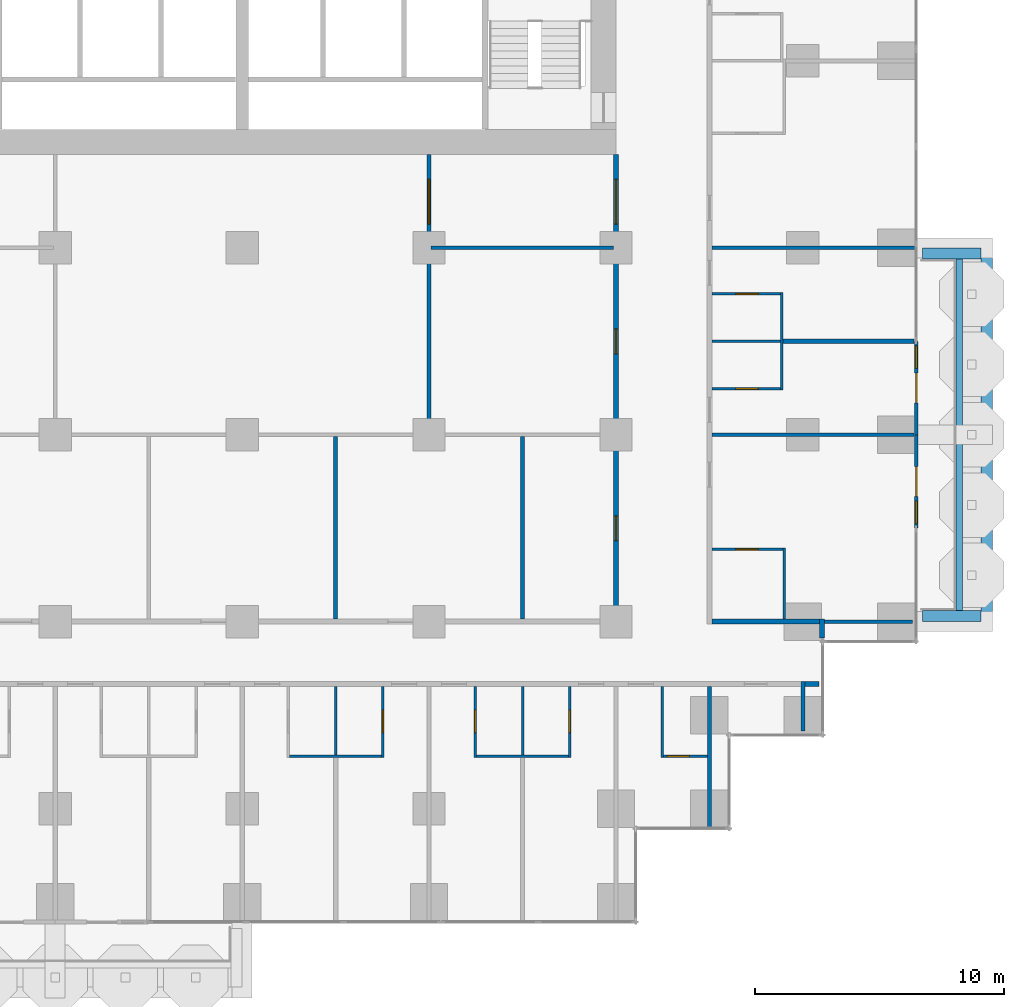
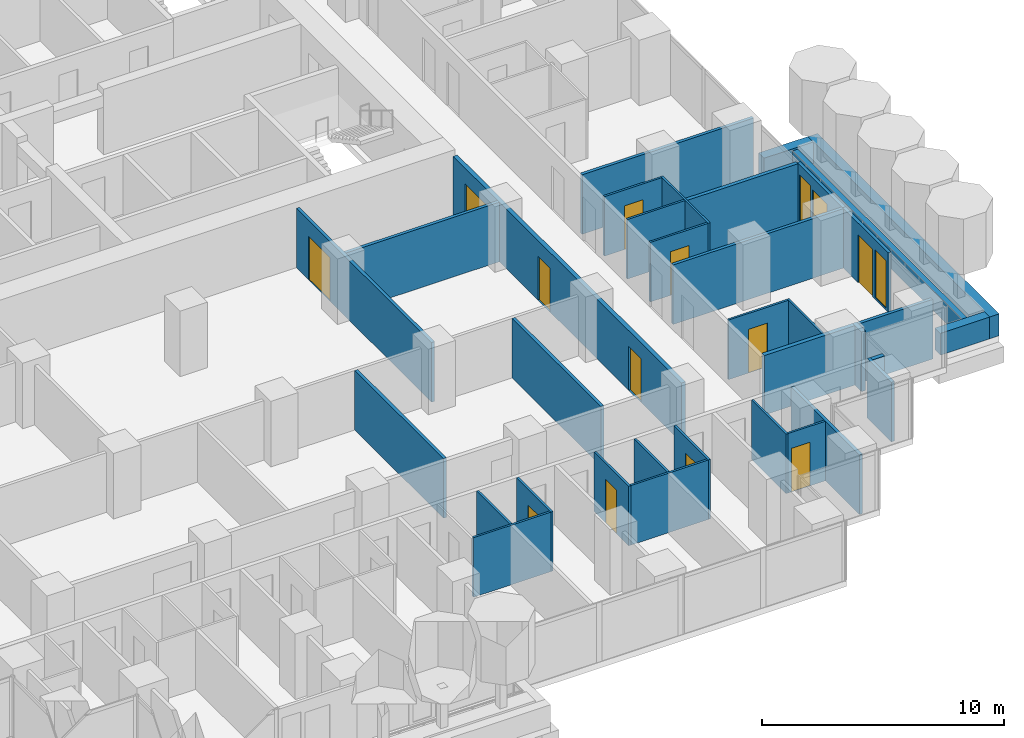
# One storey, part 12 of 19: 35 walls, 13 doors, 2 windows, 15 openings.
"""IFC4 building model written with IfcOpenShell, lengths in metres."""

from ifc_helpers import new_model, si_unit, direction, frame, frame_2d, origin, place, context, subcontext, project, spatial, rectangle, extrude, material, layer, layer_set, type_object, element, fill, save


model = new_model("IFC4")

# Units and contexts
model_context = context("Model", 3, precision=1e-05, world=origin(), true_north=direction((0.0, 1.0)))
body_context = subcontext(model_context, "Body", "Model", "MODEL_VIEW")
ifc_project = project(units=[si_unit("LENGTHUNIT", "METRE"), si_unit("AREAUNIT", "SQUARE_METRE"), si_unit("VOLUMEUNIT", "CUBIC_METRE"), si_unit("PLANEANGLEUNIT", "RADIAN"), si_unit("MASSUNIT", "GRAM", prefix="KILO")], contexts=[model_context])

# Site, building, storey
site_placement = place(None, origin())
site = spatial("IfcSite", under=ifc_project, at=site_placement, CompositionType="ELEMENT")
building_placement = place(site_placement, origin())
building = spatial("IfcBuilding", under=site, at=building_placement, Name="Pilkhan Gate Tower", CompositionType="ELEMENT")
storey_placement = place(building_placement, frame((0.0, 0.0, 69.199951171875)))
storey = spatial("IfcBuildingStorey", under=building, at=storey_placement, Name="L15", CompositionType="ELEMENT", Elevation=69.199951171875)

# Walls
ifc_material_1 = material(Name="Dense blockwork", Category="masonry")
ifc_layer_1 = layer(ifc_material_1, 0.175048828125)
ifc_layer_set_1 = layer_set([ifc_layer_1], Name="Acoustic party wall PW175")
wall_type_1 = type_object("IfcWallType", Name="Acoustic party wall PW175", PredefinedType="PARTITIONING", material=ifc_layer_set_1)
wall_1_placement = place(storey_placement, frame((96.699951171875, 63.75, 0.0), z_axis=(0.0, 0.0, 1.0), x_axis=(1.0, 0.0, 0.0)))
element("IfcWall", 1, at=wall_1_placement, inside=storey, type_object=wall_type_1, Name="Partition L15", PredefinedType="PARTITIONING", context=body_context, shape_type="SweptSolid", body=[
    extrude(rectangle(XDim=5.260009765625, YDim=0.175048828125, at=frame_2d((2.6298828125, 0.0))), origin(), (0.0, 0.0, 1.0), 3.0),
])
ifc_material_2 = material(Name="Concrete C40/50", Category="concrete")
ifc_layer_2 = layer(ifc_material_2, 0.25)
ifc_layer_set_2 = layer_set([ifc_layer_2], Name="Balcony planter BP250")
wall_type_2 = type_object("IfcWallType", Name="Balcony planter BP250", PredefinedType="USERDEFINED", material=ifc_layer_set_2)
wall_2_placement = place(storey_placement, frame((103.77490234375, 52.949951171875, 0.0), z_axis=(0.0, 0.0, 1.0), x_axis=(0.0, 1.0, 0.0)))
element("IfcWall", 2, at=wall_2_placement, inside=storey, type_object=wall_type_2, Name="Balcony planter L15 E", ObjectType="BALCONY PLANTER", PredefinedType="USERDEFINED", context=body_context, shape_type="SweptSolid", body=[
    extrude(rectangle(XDim=14.10009765625, YDim=0.25, at=frame_2d((7.050048828125, 0.0))), origin(), (0.0, 0.0, 1.0), 1.0),
])
ifc_material_3 = material(Name="Board-marked Concrete C40/50", Category="concrete")
ifc_layer_3 = layer(ifc_material_3, 0.449951171875)
ifc_layer_set_3 = layer_set([ifc_layer_3], Name="Balcony planter lip BL450")
wall_type_3 = type_object("IfcWallType", Name="Balcony planter lip BL450", PredefinedType="USERDEFINED", material=ifc_layer_set_3)
wall_3_placement = place(storey_placement, frame((104.875, 52.5, 0.0), z_axis=(0.0, 0.0, 1.0), x_axis=(0.0, 1.0, 0.0)))
element("IfcWall", 3, at=wall_3_placement, inside=storey, type_object=wall_type_3, Name="Balcony planter L15 E", ObjectType="BALCONY PLANTER", PredefinedType="USERDEFINED", context=body_context, shape_type="SweptSolid", body=[
    extrude(rectangle(XDim=15.0, YDim=0.449951171875, at=frame_2d((7.5, 0.0))), origin(), (0.0, 0.0, 1.0), 1.10009765625),
])
for number, where, z_axis, x_axis, name in (
    (4, (102.300048828125, 52.72509765625, 0.0), (0.0, 0.0, 1.0), (1.0, 0.0, 0.0), "Balcony planter L15 E"),
    (5, (102.300048828125, 67.27490234375, 0.0), (0.0, 0.0, 1.0), (1.0, 0.0, 0.0), "Balcony planter L15 E"),
):
    element("IfcWall", number, at=place(storey_placement, frame(where, z_axis=z_axis, x_axis=x_axis)), inside=storey, type_object=wall_type_3, Name=name, ObjectType="BALCONY PLANTER", PredefinedType="USERDEFINED", context=body_context, shape_type="SweptSolid", body=[
        extrude(rectangle(XDim=2.349853515625, YDim=0.449951171875, at=frame_2d((1.1748046875, 0.0))), origin(), (0.0, 0.0, 1.0), 1.10009765625),
    ])
ifc_layer_4 = layer(ifc_material_1, 0.199951171875)
ifc_layer_set_4 = layer_set([ifc_layer_4], Name="Corridor wall FW200")
wall_type_4 = type_object("IfcWallType", Name="Corridor wall FW200", PredefinedType="PARTITIONING", material=ifc_layer_set_4)
wall_4_placement = place(storey_placement, frame((97.574951171875, 50.0, 0.0), z_axis=(0.0, 0.0, 1.0), x_axis=(1.0, 0.0, 0.0)))
element("IfcWall", 6, at=wall_4_placement, inside=storey, type_object=wall_type_4, Name="Partition L15", PredefinedType="PARTITIONING", context=body_context, shape_type="SweptSolid", body=[
    extrude(rectangle(XDim=0.570068359375, YDim=0.199951171875, at=frame_2d((0.28515625, 0.0))), origin(), (0.0, 0.0, 1.0), 3.0),
])
wall_5_placement = place(storey_placement, frame((93.85009765625, 52.5, 0.0), z_axis=(0.0, 0.0, 1.0), x_axis=(1.0, 0.0, 0.0)))
element("IfcWall", 7, at=wall_5_placement, inside=storey, type_object=wall_type_4, Name="Partition L15", PredefinedType="PARTITIONING", context=body_context, shape_type="SweptSolid", body=[
    extrude(rectangle(XDim=4.31494140625, YDim=0.199951171875, at=frame_2d((2.157470703125, 0.0))), origin(), (0.0, 0.0, 1.0), 3.0),
])

# Wall, openings, doors
wall_6_placement = place(storey_placement, frame((90.0, 52.39990234375, 0.0), z_axis=(0.0, 0.0, 1.0), x_axis=(0.0, 1.0, 0.0)))
wall_6 = element("IfcWall", 8, at=wall_6_placement, inside=storey, type_object=wall_type_4, Name="Partition L15", PredefinedType="PARTITIONING", context=body_context, shape_type="SweptSolid", body=[
    extrude(rectangle(XDim=18.840087890625, YDim=0.199951171875, at=frame_2d((9.419921875, 0.0))), origin(), (0.0, 0.0, 1.0), 3.0),
])
opening_1_placement = place(wall_6_placement, frame((3.35009765625, 0.0, 0.0)))
opening_1 = element("IfcOpeningElement", 9, at=opening_1_placement, cuts=wall_6, Name="Opening L15-65", PredefinedType="OPENING", context=body_context, shape_type="SweptSolid", body=[
    extrude(rectangle(XDim=1.0, YDim=2.199951171875, at=frame_2d((0.5, 1.10009765625))), frame((0.0, 0.10986328125, 0.0), z_axis=(0.0, -1.0, 0.0), x_axis=(1.0, 0.0, 0.0)), (0.0, 0.0, 1.0), 0.219970703125),
])
opening_2_placement = place(wall_6_placement, frame((10.85009765625, 0.0, 0.0)))
opening_2 = element("IfcOpeningElement", 10, at=opening_2_placement, cuts=wall_6, Name="Opening L15-69", PredefinedType="OPENING", context=body_context, shape_type="SweptSolid", body=[
    extrude(rectangle(XDim=1.0, YDim=2.199951171875, at=frame_2d((0.5, 1.10009765625))), frame((0.0, 0.10986328125, 0.0), z_axis=(0.0, -1.0, 0.0), x_axis=(1.0, 0.0, 0.0)), (0.0, 0.0, 1.0), 0.219970703125),
])
opening_3_placement = place(wall_6_placement, frame((16.050048828125, 0.0, 0.0)))
opening_3 = element("IfcOpeningElement", 11, at=opening_3_placement, cuts=wall_6, Name="Opening L15-70", PredefinedType="OPENING", context=body_context, shape_type="SweptSolid", body=[
    extrude(rectangle(XDim=1.800048828125, YDim=2.199951171875, at=frame_2d((0.89990234375, 1.10009765625))), frame((0.0, 0.10986328125, 0.0), z_axis=(0.0, -1.0, 0.0), x_axis=(1.0, 0.0, 0.0)), (0.0, 0.0, 1.0), 0.219970703125),
])
ifc_material_4 = material(Name="Timber glazed double door, 30 minute fire resisting", Category="wood")
door_type_1 = type_object("IfcDoorType", Name="Double door D04 1800x2200", OperationType="DOUBLE_DOOR_SINGLE_SWING", PredefinedType="DOOR", material=ifc_material_4)
door_1_placement = place(opening_3_placement, origin())
door_1 = element("IfcDoor", 12, at=door_1_placement, inside=storey, type_object=door_type_1, Name="Double door", OperationType="DOUBLE_DOOR_SINGLE_SWING", OverallHeight=2.199951171875, OverallWidth=1.800048828125, PredefinedType="DOOR", context=body_context, shape_type="SweptSolid", body=[
    extrude(rectangle(XDim=1.800048828125, YDim=2.199951171875, at=frame_2d((0.89990234375, 1.10009765625))), frame((0.0, 0.02490234375, 0.0), z_axis=(0.0, -1.0, 0.0), x_axis=(1.0, 0.0, 0.0)), (0.0, 0.0, 1.0), 0.050048828125),
])
fill(opening_3, door_1)
ifc_material_5 = material(Name="Timber flush door, 30 minute fire resisting", Category="wood")
door_type_2 = type_object("IfcDoorType", Name="Room door D03 1000x2200", OperationType="SINGLE_SWING_LEFT", PredefinedType="DOOR", material=ifc_material_5)
door_2_placement = place(opening_1_placement, origin())
door_2 = element("IfcDoor", 13, at=door_2_placement, inside=storey, type_object=door_type_2, Name="Room door", OperationType="SINGLE_SWING_RIGHT", OverallHeight=2.199951171875, OverallWidth=1.0, PredefinedType="DOOR", context=body_context, shape_type="SweptSolid", body=[
    extrude(rectangle(XDim=1.0, YDim=2.199951171875, at=frame_2d((0.5, 1.10009765625))), frame((0.0, 0.02490234375, 0.0), z_axis=(0.0, -1.0, 0.0), x_axis=(1.0, 0.0, 0.0)), (0.0, 0.0, 1.0), 0.050048828125),
])
fill(opening_1, door_2)
door_3_placement = place(opening_2_placement, origin())
door_3 = element("IfcDoor", 14, at=door_3_placement, inside=storey, type_object=door_type_2, Name="Room door", OperationType="SINGLE_SWING_LEFT", OverallHeight=2.199951171875, OverallWidth=1.0, PredefinedType="DOOR", context=body_context, shape_type="SweptSolid", body=[
    extrude(rectangle(XDim=1.0, YDim=2.199951171875, at=frame_2d((0.5, 1.10009765625))), frame((0.0, 0.02490234375, 0.0), z_axis=(0.0, -1.0, 0.0), x_axis=(1.0, 0.0, 0.0)), (0.0, 0.0, 1.0), 0.050048828125),
])
fill(opening_2, door_3)

# Wall
wall_7_placement = place(storey_placement, frame((98.264892578125, 51.85498046875, 0.0), z_axis=(0.0, 0.0, 1.0), x_axis=(0.0, 1.0, 0.0)))
element("IfcWall", 15, at=wall_7_placement, inside=storey, type_object=wall_type_4, Name="Partition L15", PredefinedType="PARTITIONING", context=body_context, shape_type="SweptSolid", body=[
    extrude(rectangle(XDim=0.7451171875, YDim=0.199951171875, at=frame_2d((0.37255859375, 0.0))), origin(), (0.0, 0.0, 1.0), 3.0),
])

# Wall, openings, door, window
ifc_material_6 = material(Name="Pale anodised aluminium, clear laminated glazing", Category="aluminium")
ifc_layer_5 = layer(ifc_material_6, 0.14990234375)
ifc_layer_set_5 = layer_set([ifc_layer_5], Name="Facade infill wall IW150")
wall_type_5 = type_object("IfcWallType", Name="Facade infill wall IW150", PredefinedType="SOLIDWALL", material=ifc_layer_set_5)
wall_8_placement = place(storey_placement, frame((102.044921875, 56.25, 0.0), z_axis=(0.0, 0.0, 1.0), x_axis=(0.0, 1.0, 0.0)))
wall_8 = element("IfcWall", 16, at=wall_8_placement, inside=storey, type_object=wall_type_5, Name="Infill wall L15 E", PredefinedType="SOLIDWALL", context=body_context, shape_type="SweptSolid", body=[
    extrude(rectangle(XDim=3.75, YDim=0.14990234375, at=frame_2d((1.875, 0.0))), origin(), (0.0, 0.0, 1.0), 3.0),
])
opening_4_placement = place(wall_8_placement, frame((0.1875, 0.0, 0.10009765625)))
opening_4 = element("IfcOpeningElement", 17, at=opening_4_placement, cuts=wall_8, Name="Opening W1", PredefinedType="OPENING", context=body_context, shape_type="SweptSolid", body=[
    extrude(rectangle(XDim=0.89990234375, YDim=2.39990234375, at=frame_2d((0.449951171875, 1.199951171875))), frame((0.0, 0.0849609375, 0.0), z_axis=(0.0, -1.0, 0.0), x_axis=(1.0, 0.0, 0.0)), (0.0, 0.0, 1.0), 0.169921875),
])
opening_5_placement = place(wall_8_placement, frame((1.27490234375, 0.0, 0.0)))
opening_5 = element("IfcOpeningElement", 18, at=opening_5_placement, cuts=wall_8, Name="Opening D1", PredefinedType="OPENING", context=body_context, shape_type="SweptSolid", body=[
    extrude(rectangle(XDim=1.199951171875, YDim=2.39990234375, at=frame_2d((0.60009765625, 1.199951171875))), frame((0.0, 0.0849609375, 0.0), z_axis=(0.0, -1.0, 0.0), x_axis=(1.0, 0.0, 0.0)), (0.0, 0.0, 1.0), 0.169921875),
])
ifc_material_7 = material(Name="Pale anodised aluminium, clear glazing", Category="aluminium")
door_type_3 = type_object("IfcDoorType", Name="Balcony door D1 1200x2400", OperationType="SINGLE_SWING_LEFT", PredefinedType="DOOR", material=ifc_material_7)
door_4_placement = place(opening_5_placement, origin())
door_4 = element("IfcDoor", 19, at=door_4_placement, inside=storey, type_object=door_type_3, Name="Balcony door L15", OperationType="SINGLE_SWING_LEFT", OverallHeight=2.39990234375, OverallWidth=1.199951171875, PredefinedType="DOOR", context=body_context, shape_type="SweptSolid", body=[
    extrude(rectangle(XDim=1.199951171875, YDim=2.39990234375, at=frame_2d((0.60009765625, 1.199951171875))), frame((0.0, 0.02490234375, 0.0), z_axis=(0.0, -1.0, 0.0), x_axis=(1.0, 0.0, 0.0)), (0.0, 0.0, 1.0), 0.050048828125),
])
fill(opening_5, door_4)
ifc_material_8 = material(Name="Pale anodised aluminium, clear double glazing", Category="aluminium")
window_type = type_object("IfcWindowType", Name="Window W1 900x2400", PartitioningType="SINGLE_PANEL", PredefinedType="WINDOW", material=ifc_material_8)
window_1_placement = place(opening_4_placement, origin())
window_1 = element("IfcWindow", 20, at=window_1_placement, inside=storey, type_object=window_type, Name="Window L15", OverallHeight=2.39990234375, OverallWidth=0.89990234375, PartitioningType="SINGLE_PANEL", PredefinedType="WINDOW", context=body_context, shape_type="SweptSolid", body=[
    extrude(rectangle(XDim=0.89990234375, YDim=2.39990234375, at=frame_2d((0.449951171875, 1.199951171875))), frame((0.0, 0.030029296875, 0.0), z_axis=(0.0, -1.0, 0.0), x_axis=(1.0, 0.0, 0.0)), (0.0, 0.0, 1.0), 0.06005859375),
])
fill(opening_4, window_1)

wall_9_placement = place(storey_placement, frame((102.044921875, 60.0, 0.0), z_axis=(0.0, 0.0, 1.0), x_axis=(0.0, 1.0, 0.0)))
wall_9 = element("IfcWall", 21, at=wall_9_placement, inside=storey, type_object=wall_type_5, Name="Infill wall L15 E", PredefinedType="SOLIDWALL", context=body_context, shape_type="SweptSolid", body=[
    extrude(rectangle(XDim=3.75, YDim=0.14990234375, at=frame_2d((1.875, 0.0))), origin(), (0.0, 0.0, 1.0), 3.0),
])
opening_6_placement = place(wall_9_placement, frame((1.27490234375, 0.0, 0.0)))
opening_6 = element("IfcOpeningElement", 22, at=opening_6_placement, cuts=wall_9, Name="Opening D1", PredefinedType="OPENING", context=body_context, shape_type="SweptSolid", body=[
    extrude(rectangle(XDim=1.199951171875, YDim=2.39990234375, at=frame_2d((0.60009765625, 1.199951171875))), frame((0.0, 0.0849609375, 0.0), z_axis=(0.0, -1.0, 0.0), x_axis=(1.0, 0.0, 0.0)), (0.0, 0.0, 1.0), 0.169921875),
])
opening_7_placement = place(wall_9_placement, frame((2.66259765625, 0.0, 0.10009765625)))
opening_7 = element("IfcOpeningElement", 23, at=opening_7_placement, cuts=wall_9, Name="Opening W1", PredefinedType="OPENING", context=body_context, shape_type="SweptSolid", body=[
    extrude(rectangle(XDim=0.89990234375, YDim=2.39990234375, at=frame_2d((0.449951171875, 1.199951171875))), frame((0.0, 0.0849609375, 0.0), z_axis=(0.0, -1.0, 0.0), x_axis=(1.0, 0.0, 0.0)), (0.0, 0.0, 1.0), 0.169921875),
])
door_5_placement = place(opening_6_placement, origin())
door_5 = element("IfcDoor", 24, at=door_5_placement, inside=storey, type_object=door_type_3, Name="Balcony door L15", OperationType="SINGLE_SWING_LEFT", OverallHeight=2.39990234375, OverallWidth=1.199951171875, PredefinedType="DOOR", context=body_context, shape_type="SweptSolid", body=[
    extrude(rectangle(XDim=1.199951171875, YDim=2.39990234375, at=frame_2d((0.60009765625, 1.199951171875))), frame((0.0, 0.02490234375, 0.0), z_axis=(0.0, -1.0, 0.0), x_axis=(1.0, 0.0, 0.0)), (0.0, 0.0, 1.0), 0.050048828125),
])
fill(opening_6, door_5)
window_2_placement = place(opening_7_placement, origin())
window_2 = element("IfcWindow", 25, at=window_2_placement, inside=storey, type_object=window_type, Name="Window L15", OverallHeight=2.39990234375, OverallWidth=0.89990234375, PartitioningType="SINGLE_PANEL", PredefinedType="WINDOW", context=body_context, shape_type="SweptSolid", body=[
    extrude(rectangle(XDim=0.89990234375, YDim=2.39990234375, at=frame_2d((0.449951171875, 1.199951171875))), frame((0.0, 0.030029296875, 0.0), z_axis=(0.0, -1.0, 0.0), x_axis=(1.0, 0.0, 0.0)), (0.0, 0.0, 1.0), 0.06005859375),
])
fill(opening_7, window_2)

# Walls
ifc_material_9 = material(Name="Blockwork partition, plastered both sides", Category="masonry")
ifc_layer_6 = layer(ifc_material_9, 0.14990234375)
ifc_layer_set_6 = layer_set([ifc_layer_6], Name="Partition PW150")
wall_type_6 = type_object("IfcWallType", Name="Partition PW150", PredefinedType="PARTITIONING", material=ifc_layer_set_6)
wall_10_placement = place(storey_placement, frame((98.364990234375, 52.5, 0.0), z_axis=(0.0, 0.0, 1.0), x_axis=(1.0, 0.0, 0.0)))
element("IfcWall", 26, at=wall_10_placement, inside=storey, type_object=wall_type_6, Name="Partition L15", PredefinedType="PARTITIONING", context=body_context, shape_type="SweptSolid", body=[
    extrude(rectangle(XDim=3.530029296875, YDim=0.14990234375, at=frame_2d((1.76513671875, 0.0))), origin(), (0.0, 0.0, 1.0), 3.0),
])
wall_11_placement = place(storey_placement, frame((93.85009765625, 60.0, 0.0), z_axis=(0.0, 0.0, 1.0), x_axis=(1.0, 0.0, 0.0)))
element("IfcWall", 27, at=wall_11_placement, inside=storey, type_object=wall_type_6, Name="Partition L15", PredefinedType="PARTITIONING", context=body_context, shape_type="SweptSolid", body=[
    extrude(rectangle(XDim=8.10986328125, YDim=0.14990234375, at=frame_2d((4.054931640625, 0.0))), origin(), (0.0, 0.0, 1.0), 3.0),
])
wall_12_placement = place(storey_placement, frame((82.574951171875, 67.5, 0.0), z_axis=(0.0, 0.0, 1.0), x_axis=(1.0, 0.0, 0.0)))
element("IfcWall", 28, at=wall_12_placement, inside=storey, type_object=wall_type_6, Name="Partition L15", PredefinedType="PARTITIONING", context=body_context, shape_type="SweptSolid", body=[
    extrude(rectangle(XDim=7.324951171875, YDim=0.14990234375, at=frame_2d((3.66259765625, 0.0))), origin(), (0.0, 0.0, 1.0), 3.0),
])
wall_13_placement = place(storey_placement, frame((93.85009765625, 67.5, 0.0), z_axis=(0.0, 0.0, 1.0), x_axis=(1.0, 0.0, 0.0)))
element("IfcWall", 29, at=wall_13_placement, inside=storey, type_object=wall_type_6, Name="Partition L15", PredefinedType="PARTITIONING", context=body_context, shape_type="SweptSolid", body=[
    extrude(rectangle(XDim=8.164794921875, YDim=0.14990234375, at=frame_2d((4.08251953125, 0.0))), origin(), (0.0, 0.0, 1.0), 3.0),
])
wall_14_placement = place(storey_placement, frame((78.75, 52.60009765625, 0.0), z_axis=(0.0, 0.0, 1.0), x_axis=(0.0, 1.0, 0.0)))
element("IfcWall", 30, at=wall_14_placement, inside=storey, type_object=wall_type_6, Name="Partition L15", PredefinedType="PARTITIONING", context=body_context, shape_type="SweptSolid", body=[
    extrude(rectangle(XDim=7.324951171875, YDim=0.14990234375, at=frame_2d((3.66259765625, 0.0))), origin(), (0.0, 0.0, 1.0), 3.0),
])

# Wall, opening, door
wall_15_placement = place(storey_placement, frame((82.5, 60.074951171875, 0.0), z_axis=(0.0, 0.0, 1.0), x_axis=(0.0, 1.0, 0.0)))
wall_15 = element("IfcWall", 31, at=wall_15_placement, inside=storey, type_object=wall_type_6, Name="Partition L15", PredefinedType="PARTITIONING", context=body_context, shape_type="SweptSolid", body=[
    extrude(rectangle(XDim=11.1650390625, YDim=0.14990234375, at=frame_2d((5.58251953125, 0.0))), origin(), (0.0, 0.0, 1.0), 3.0),
])
opening_8_placement = place(wall_15_placement, frame((8.375, 0.0, 0.0)))
opening_8 = element("IfcOpeningElement", 32, at=opening_8_placement, cuts=wall_15, Name="Opening L15-68", PredefinedType="OPENING", context=body_context, shape_type="SweptSolid", body=[
    extrude(rectangle(XDim=1.800048828125, YDim=2.199951171875, at=frame_2d((0.89990234375, 1.10009765625))), frame((0.0, 0.0849609375, 0.0), z_axis=(0.0, -1.0, 0.0), x_axis=(1.0, 0.0, 0.0)), (0.0, 0.0, 1.0), 0.169921875),
])
door_6_placement = place(opening_8_placement, origin())
door_6 = element("IfcDoor", 33, at=door_6_placement, inside=storey, type_object=door_type_1, Name="Double door", OperationType="DOUBLE_DOOR_SINGLE_SWING", OverallHeight=2.199951171875, OverallWidth=1.800048828125, PredefinedType="DOOR", context=body_context, shape_type="SweptSolid", body=[
    extrude(rectangle(XDim=1.800048828125, YDim=2.199951171875, at=frame_2d((0.89990234375, 1.10009765625))), frame((0.0, 0.02490234375, 0.0), z_axis=(0.0, -1.0, 0.0), x_axis=(1.0, 0.0, 0.0)), (0.0, 0.0, 1.0), 0.050048828125),
])
fill(opening_8, door_6)

# Walls
wall_16_placement = place(storey_placement, frame((86.25, 52.60009765625, 0.0), z_axis=(0.0, 0.0, 1.0), x_axis=(0.0, 1.0, 0.0)))
element("IfcWall", 34, at=wall_16_placement, inside=storey, type_object=wall_type_6, Name="Partition L15", PredefinedType="PARTITIONING", context=body_context, shape_type="SweptSolid", body=[
    extrude(rectangle(XDim=7.324951171875, YDim=0.14990234375, at=frame_2d((3.66259765625, 0.0))), origin(), (0.0, 0.0, 1.0), 3.0),
])
wall_17_placement = place(storey_placement, frame((93.75, 44.235107421875, 0.0), z_axis=(0.0, 0.0, 1.0), x_axis=(0.0, 1.0, 0.0)))
element("IfcWall", 35, at=wall_17_placement, inside=storey, type_object=wall_type_6, Name="Partition L15", PredefinedType="PARTITIONING", context=body_context, shape_type="SweptSolid", body=[
    extrude(rectangle(XDim=5.664794921875, YDim=0.14990234375, at=frame_2d((2.83251953125, 0.0))), origin(), (0.0, 0.0, 1.0), 3.0),
])
wall_18_placement = place(storey_placement, frame((97.5, 48.10498046875, 0.0), z_axis=(0.0, 0.0, 1.0), x_axis=(0.0, 1.0, 0.0)))
element("IfcWall", 36, at=wall_18_placement, inside=storey, type_object=wall_type_6, Name="Partition L15", PredefinedType="PARTITIONING", context=body_context, shape_type="SweptSolid", body=[
    extrude(rectangle(XDim=1.9951171875, YDim=0.14990234375, at=frame_2d((0.99755859375, 0.0))), origin(), (0.0, 0.0, 1.0), 3.0),
])
ifc_material_10 = material(Name="Moisture resistant board, tiled")
ifc_layer_7 = layer(ifc_material_10, 0.10009765625)
ifc_layer_set_7 = layer_set([ifc_layer_7], Name="Wet wall PW100")
wall_type_7 = type_object("IfcWallType", Name="Wet wall PW100", PredefinedType="PARTITIONING", material=ifc_layer_set_7)
for number, where, z_axis, x_axis, name in (
    (37, (76.89990234375, 47.10009765625, 0.0), (0.0, 0.0, 1.0), (1.0, 0.0, 0.0), "Partition L15"),
    (38, (84.39990234375, 47.10009765625, 0.0), (0.0, 0.0, 1.0), (1.0, 0.0, 0.0), "Partition L15"),
):
    element("IfcWall", number, at=place(storey_placement, frame(where, z_axis=z_axis, x_axis=x_axis)), inside=storey, type_object=wall_type_7, Name=name, PredefinedType="PARTITIONING", context=body_context, shape_type="SweptSolid", body=[
        extrude(rectangle(XDim=3.7001953125, YDim=0.10009765625, at=frame_2d((1.85009765625, 0.0))), origin(), (0.0, 0.0, 1.0), 3.0),
    ])

# Wall, opening, door
wall_19_placement = place(storey_placement, frame((91.89990234375, 47.10009765625, 0.0), z_axis=(0.0, 0.0, 1.0), x_axis=(1.0, 0.0, 0.0)))
wall_19 = element("IfcWall", 39, at=wall_19_placement, inside=storey, type_object=wall_type_7, Name="Partition L15", PredefinedType="PARTITIONING", context=body_context, shape_type="SweptSolid", body=[
    extrude(rectangle(XDim=1.775146484375, YDim=0.10009765625, at=frame_2d((0.8876953125, 0.0))), origin(), (0.0, 0.0, 1.0), 3.0),
])
opening_9_placement = place(wall_19_placement, frame((0.14990234375, 0.0, 0.0)))
opening_9 = element("IfcOpeningElement", 40, at=opening_9_placement, cuts=wall_19, Name="Opening L15-25", PredefinedType="OPENING", context=body_context, shape_type="SweptSolid", body=[
    extrude(rectangle(XDim=0.89990234375, YDim=2.199951171875, at=frame_2d((0.449951171875, 1.10009765625))), frame((0.0, 0.06005859375, 0.0), z_axis=(0.0, -1.0, 0.0), x_axis=(1.0, 0.0, 0.0)), (0.0, 0.0, 1.0), 0.1201171875),
])
ifc_material_11 = material(Name="Timber flush door", Category="wood")
door_type_4 = type_object("IfcDoorType", Name="Bathroom door D02 900x2200", OperationType="SINGLE_SWING_RIGHT", PredefinedType="DOOR", material=ifc_material_11)
door_7_placement = place(opening_9_placement, origin())
door_7 = element("IfcDoor", 41, at=door_7_placement, inside=storey, type_object=door_type_4, Name="Bathroom door", OperationType="SINGLE_SWING_RIGHT", OverallHeight=2.199951171875, OverallWidth=0.89990234375, PredefinedType="DOOR", context=body_context, shape_type="SweptSolid", body=[
    extrude(rectangle(XDim=0.89990234375, YDim=2.199951171875, at=frame_2d((0.449951171875, 1.10009765625))), frame((0.0, 0.02490234375, 0.0), z_axis=(0.0, -1.0, 0.0), x_axis=(1.0, 0.0, 0.0)), (0.0, 0.0, 1.0), 0.050048828125),
])
fill(opening_9, door_7)

wall_20_placement = place(storey_placement, frame((93.85009765625, 55.39990234375, 0.0), z_axis=(0.0, 0.0, 1.0), x_axis=(1.0, 0.0, 0.0)))
wall_20 = element("IfcWall", 42, at=wall_20_placement, inside=storey, type_object=wall_type_7, Name="Partition L15", PredefinedType="PARTITIONING", context=body_context, shape_type="SweptSolid", body=[
    extrude(rectangle(XDim=2.849853515625, YDim=0.10009765625, at=frame_2d((1.4248046875, 0.0))), origin(), (0.0, 0.0, 1.0), 3.0),
])
opening_10_placement = place(wall_20_placement, frame((0.949951171875, 0.0, 0.0)))
opening_10 = element("IfcOpeningElement", 43, at=opening_10_placement, cuts=wall_20, Name="Opening L15-39", PredefinedType="OPENING", context=body_context, shape_type="SweptSolid", body=[
    extrude(rectangle(XDim=0.89990234375, YDim=2.199951171875, at=frame_2d((0.449951171875, 1.10009765625))), frame((0.0, 0.06005859375, 0.0), z_axis=(0.0, -1.0, 0.0), x_axis=(1.0, 0.0, 0.0)), (0.0, 0.0, 1.0), 0.1201171875),
])
door_8_placement = place(opening_10_placement, origin())
door_8 = element("IfcDoor", 44, at=door_8_placement, inside=storey, type_object=door_type_4, Name="Bathroom door", OperationType="SINGLE_SWING_RIGHT", OverallHeight=2.199951171875, OverallWidth=0.89990234375, PredefinedType="DOOR", context=body_context, shape_type="SweptSolid", body=[
    extrude(rectangle(XDim=0.89990234375, YDim=2.199951171875, at=frame_2d((0.449951171875, 1.10009765625))), frame((0.0, 0.02490234375, 0.0), z_axis=(0.0, -1.0, 0.0), x_axis=(1.0, 0.0, 0.0)), (0.0, 0.0, 1.0), 0.050048828125),
])
fill(opening_10, door_8)

wall_21_placement = place(storey_placement, frame((93.85009765625, 61.85009765625, 0.0), z_axis=(0.0, 0.0, 1.0), x_axis=(1.0, 0.0, 0.0)))
wall_21 = element("IfcWall", 45, at=wall_21_placement, inside=storey, type_object=wall_type_7, Name="Partition L15", PredefinedType="PARTITIONING", context=body_context, shape_type="SweptSolid", body=[
    extrude(rectangle(XDim=2.75, YDim=0.10009765625, at=frame_2d((1.375, 0.0))), origin(), (0.0, 0.0, 1.0), 3.0),
])
opening_11_placement = place(wall_21_placement, frame((0.949951171875, 0.0, 0.0)))
opening_11 = element("IfcOpeningElement", 46, at=opening_11_placement, cuts=wall_21, Name="Opening L15-41", PredefinedType="OPENING", context=body_context, shape_type="SweptSolid", body=[
    extrude(rectangle(XDim=0.89990234375, YDim=2.199951171875, at=frame_2d((0.449951171875, 1.10009765625))), frame((0.0, 0.06005859375, 0.0), z_axis=(0.0, -1.0, 0.0), x_axis=(1.0, 0.0, 0.0)), (0.0, 0.0, 1.0), 0.1201171875),
])
door_9_placement = place(opening_11_placement, origin())
door_9 = element("IfcDoor", 47, at=door_9_placement, inside=storey, type_object=door_type_4, Name="Bathroom door", OperationType="SINGLE_SWING_RIGHT", OverallHeight=2.199951171875, OverallWidth=0.89990234375, PredefinedType="DOOR", context=body_context, shape_type="SweptSolid", body=[
    extrude(rectangle(XDim=0.89990234375, YDim=2.199951171875, at=frame_2d((0.449951171875, 1.10009765625))), frame((0.0, 0.02490234375, 0.0), z_axis=(0.0, -1.0, 0.0), x_axis=(1.0, 0.0, 0.0)), (0.0, 0.0, 1.0), 0.050048828125),
])
fill(opening_11, door_9)

# Wall
wall_22_placement = place(storey_placement, frame((93.85009765625, 63.75, 0.0), z_axis=(0.0, 0.0, 1.0), x_axis=(1.0, 0.0, 0.0)))
element("IfcWall", 48, at=wall_22_placement, inside=storey, type_object=wall_type_7, Name="Partition L15", PredefinedType="PARTITIONING", context=body_context, shape_type="SweptSolid", body=[
    extrude(rectangle(XDim=2.75, YDim=0.10009765625, at=frame_2d((1.375, 0.0))), origin(), (0.0, 0.0, 1.0), 3.0),
])

# Wall, opening, door
wall_23_placement = place(storey_placement, frame((93.85009765625, 65.64990234375, 0.0), z_axis=(0.0, 0.0, 1.0), x_axis=(1.0, 0.0, 0.0)))
wall_23 = element("IfcWall", 49, at=wall_23_placement, inside=storey, type_object=wall_type_7, Name="Partition L15", PredefinedType="PARTITIONING", context=body_context, shape_type="SweptSolid", body=[
    extrude(rectangle(XDim=2.75, YDim=0.10009765625, at=frame_2d((1.375, 0.0))), origin(), (0.0, 0.0, 1.0), 3.0),
])
opening_12_placement = place(wall_23_placement, frame((0.949951171875, 0.0, 0.0)))
opening_12 = element("IfcOpeningElement", 50, at=opening_12_placement, cuts=wall_23, Name="Opening L15-43", PredefinedType="OPENING", context=body_context, shape_type="SweptSolid", body=[
    extrude(rectangle(XDim=0.89990234375, YDim=2.199951171875, at=frame_2d((0.449951171875, 1.10009765625))), frame((0.0, 0.06005859375, 0.0), z_axis=(0.0, -1.0, 0.0), x_axis=(1.0, 0.0, 0.0)), (0.0, 0.0, 1.0), 0.1201171875),
])
door_10_placement = place(opening_12_placement, origin())
door_10 = element("IfcDoor", 51, at=door_10_placement, inside=storey, type_object=door_type_4, Name="Bathroom door", OperationType="SINGLE_SWING_RIGHT", OverallHeight=2.199951171875, OverallWidth=0.89990234375, PredefinedType="DOOR", context=body_context, shape_type="SweptSolid", body=[
    extrude(rectangle(XDim=0.89990234375, YDim=2.199951171875, at=frame_2d((0.449951171875, 1.10009765625))), frame((0.0, 0.02490234375, 0.0), z_axis=(0.0, -1.0, 0.0), x_axis=(1.0, 0.0, 0.0)), (0.0, 0.0, 1.0), 0.050048828125),
])
fill(opening_12, door_10)

# Wall
wall_24_placement = place(storey_placement, frame((78.75, 47.14990234375, 0.0), z_axis=(0.0, 0.0, 1.0), x_axis=(0.0, 1.0, 0.0)))
element("IfcWall", 52, at=wall_24_placement, inside=storey, type_object=wall_type_7, Name="Partition L15", PredefinedType="PARTITIONING", context=body_context, shape_type="SweptSolid", body=[
    extrude(rectangle(XDim=2.75, YDim=0.10009765625, at=frame_2d((1.375, 0.0))), origin(), (0.0, 0.0, 1.0), 3.0),
])

# Wall, opening, door
wall_25_placement = place(storey_placement, frame((80.64990234375, 47.050048828125, 0.0), z_axis=(0.0, 0.0, 1.0), x_axis=(0.0, 1.0, 0.0)))
wall_25 = element("IfcWall", 53, at=wall_25_placement, inside=storey, type_object=wall_type_7, Name="Partition L15", PredefinedType="PARTITIONING", context=body_context, shape_type="SweptSolid", body=[
    extrude(rectangle(XDim=2.849853515625, YDim=0.10009765625, at=frame_2d((1.4248046875, 0.0))), origin(), (0.0, 0.0, 1.0), 3.0),
])
opening_13_placement = place(wall_25_placement, frame((1.0, 0.0, 0.0)))
opening_13 = element("IfcOpeningElement", 54, at=opening_13_placement, cuts=wall_25, Name="Opening L15-19", PredefinedType="OPENING", context=body_context, shape_type="SweptSolid", body=[
    extrude(rectangle(XDim=0.89990234375, YDim=2.199951171875, at=frame_2d((0.449951171875, 1.10009765625))), frame((0.0, 0.06005859375, 0.0), z_axis=(0.0, -1.0, 0.0), x_axis=(1.0, 0.0, 0.0)), (0.0, 0.0, 1.0), 0.1201171875),
])
door_11_placement = place(opening_13_placement, origin())
door_11 = element("IfcDoor", 55, at=door_11_placement, inside=storey, type_object=door_type_4, Name="Bathroom door", OperationType="SINGLE_SWING_RIGHT", OverallHeight=2.199951171875, OverallWidth=0.89990234375, PredefinedType="DOOR", context=body_context, shape_type="SweptSolid", body=[
    extrude(rectangle(XDim=0.89990234375, YDim=2.199951171875, at=frame_2d((0.449951171875, 1.10009765625))), frame((0.0, 0.02490234375, 0.0), z_axis=(0.0, -1.0, 0.0), x_axis=(1.0, 0.0, 0.0)), (0.0, 0.0, 1.0), 0.050048828125),
])
fill(opening_13, door_11)

wall_26_placement = place(storey_placement, frame((84.35009765625, 47.050048828125, 0.0), z_axis=(0.0, 0.0, 1.0), x_axis=(0.0, 1.0, 0.0)))
wall_26 = element("IfcWall", 56, at=wall_26_placement, inside=storey, type_object=wall_type_7, Name="Partition L15", PredefinedType="PARTITIONING", context=body_context, shape_type="SweptSolid", body=[
    extrude(rectangle(XDim=2.849853515625, YDim=0.10009765625, at=frame_2d((1.4248046875, 0.0))), origin(), (0.0, 0.0, 1.0), 3.0),
])
opening_14_placement = place(wall_26_placement, frame((1.0, 0.0, 0.0)))
opening_14 = element("IfcOpeningElement", 57, at=opening_14_placement, cuts=wall_26, Name="Opening L15-21", PredefinedType="OPENING", context=body_context, shape_type="SweptSolid", body=[
    extrude(rectangle(XDim=0.89990234375, YDim=2.199951171875, at=frame_2d((0.449951171875, 1.10009765625))), frame((0.0, 0.06005859375, 0.0), z_axis=(0.0, -1.0, 0.0), x_axis=(1.0, 0.0, 0.0)), (0.0, 0.0, 1.0), 0.1201171875),
])
door_12_placement = place(opening_14_placement, origin())
door_12 = element("IfcDoor", 58, at=door_12_placement, inside=storey, type_object=door_type_4, Name="Bathroom door", OperationType="SINGLE_SWING_RIGHT", OverallHeight=2.199951171875, OverallWidth=0.89990234375, PredefinedType="DOOR", context=body_context, shape_type="SweptSolid", body=[
    extrude(rectangle(XDim=0.89990234375, YDim=2.199951171875, at=frame_2d((0.449951171875, 1.10009765625))), frame((0.0, 0.02490234375, 0.0), z_axis=(0.0, -1.0, 0.0), x_axis=(1.0, 0.0, 0.0)), (0.0, 0.0, 1.0), 0.050048828125),
])
fill(opening_14, door_12)

# Wall
wall_27_placement = place(storey_placement, frame((86.25, 47.14990234375, 0.0), z_axis=(0.0, 0.0, 1.0), x_axis=(0.0, 1.0, 0.0)))
element("IfcWall", 59, at=wall_27_placement, inside=storey, type_object=wall_type_7, Name="Partition L15", PredefinedType="PARTITIONING", context=body_context, shape_type="SweptSolid", body=[
    extrude(rectangle(XDim=2.75, YDim=0.10009765625, at=frame_2d((1.375, 0.0))), origin(), (0.0, 0.0, 1.0), 3.0),
])

# Wall, opening, door
wall_28_placement = place(storey_placement, frame((88.14990234375, 47.050048828125, 0.0), z_axis=(0.0, 0.0, 1.0), x_axis=(0.0, 1.0, 0.0)))
wall_28 = element("IfcWall", 60, at=wall_28_placement, inside=storey, type_object=wall_type_7, Name="Partition L15", PredefinedType="PARTITIONING", context=body_context, shape_type="SweptSolid", body=[
    extrude(rectangle(XDim=2.849853515625, YDim=0.10009765625, at=frame_2d((1.4248046875, 0.0))), origin(), (0.0, 0.0, 1.0), 3.0),
])
opening_15_placement = place(wall_28_placement, frame((1.0, 0.0, 0.0)))
opening_15 = element("IfcOpeningElement", 61, at=opening_15_placement, cuts=wall_28, Name="Opening L15-23", PredefinedType="OPENING", context=body_context, shape_type="SweptSolid", body=[
    extrude(rectangle(XDim=0.89990234375, YDim=2.199951171875, at=frame_2d((0.449951171875, 1.10009765625))), frame((0.0, 0.06005859375, 0.0), z_axis=(0.0, -1.0, 0.0), x_axis=(1.0, 0.0, 0.0)), (0.0, 0.0, 1.0), 0.1201171875),
])
door_13_placement = place(opening_15_placement, origin())
door_13 = element("IfcDoor", 62, at=door_13_placement, inside=storey, type_object=door_type_4, Name="Bathroom door", OperationType="SINGLE_SWING_RIGHT", OverallHeight=2.199951171875, OverallWidth=0.89990234375, PredefinedType="DOOR", context=body_context, shape_type="SweptSolid", body=[
    extrude(rectangle(XDim=0.89990234375, YDim=2.199951171875, at=frame_2d((0.449951171875, 1.10009765625))), frame((0.0, 0.02490234375, 0.0), z_axis=(0.0, -1.0, 0.0), x_axis=(1.0, 0.0, 0.0)), (0.0, 0.0, 1.0), 0.050048828125),
])
fill(opening_15, door_13)

# Walls
wall_29_placement = place(storey_placement, frame((91.85009765625, 47.050048828125, 0.0), z_axis=(0.0, 0.0, 1.0), x_axis=(0.0, 1.0, 0.0)))
element("IfcWall", 63, at=wall_29_placement, inside=storey, type_object=wall_type_7, Name="Partition L15", PredefinedType="PARTITIONING", context=body_context, shape_type="SweptSolid", body=[
    extrude(rectangle(XDim=2.849853515625, YDim=0.10009765625, at=frame_2d((1.4248046875, 0.0))), origin(), (0.0, 0.0, 1.0), 3.0),
])
wall_30_placement = place(storey_placement, frame((96.64990234375, 61.800048828125, 0.0), z_axis=(0.0, 0.0, 1.0), x_axis=(0.0, 1.0, 0.0)))
element("IfcWall", 64, at=wall_30_placement, inside=storey, type_object=wall_type_7, Name="Partition L15", PredefinedType="PARTITIONING", context=body_context, shape_type="SweptSolid", body=[
    extrude(rectangle(XDim=3.89990234375, YDim=0.10009765625, at=frame_2d((1.949951171875, 0.0))), origin(), (0.0, 0.0, 1.0), 3.0),
])
wall_31_placement = place(storey_placement, frame((96.75, 52.60009765625, 0.0), z_axis=(0.0, 0.0, 1.0), x_axis=(0.0, 1.0, 0.0)))
element("IfcWall", 65, at=wall_31_placement, inside=storey, type_object=wall_type_7, Name="Partition L15", PredefinedType="PARTITIONING", context=body_context, shape_type="SweptSolid", body=[
    extrude(rectangle(XDim=2.849853515625, YDim=0.10009765625, at=frame_2d((1.4248046875, 0.0))), origin(), (0.0, 0.0, 1.0), 3.0),
])

save(model, "model.ifc")
